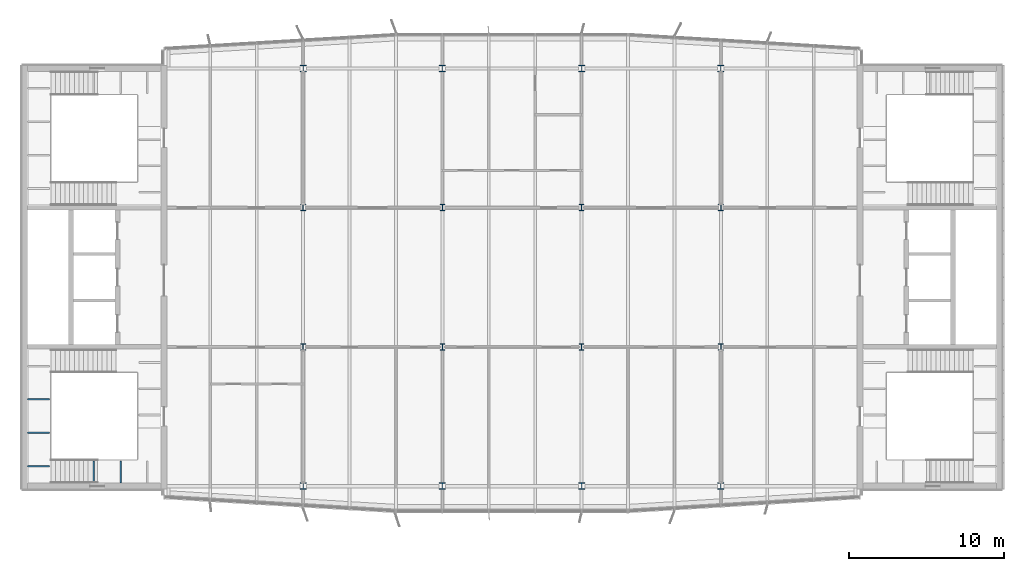
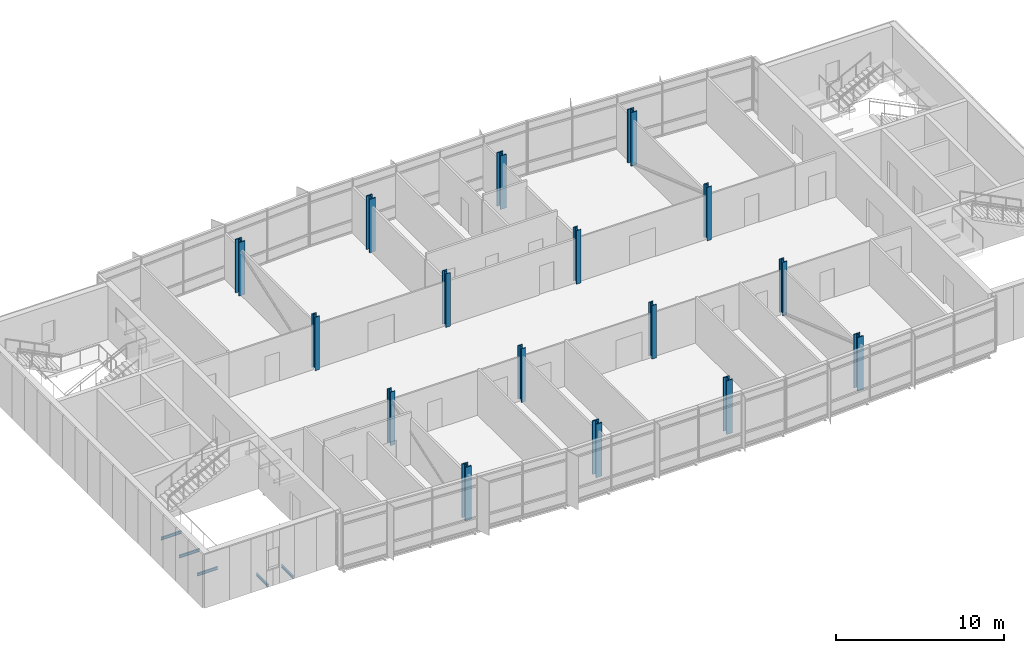
# One storey, part 1 of 21: 16 columns, 5 beams.
"""IFC4 building model written with IfcOpenShell, lengths in metres."""

from ifc_helpers import new_model, si_unit, direction, frame, origin, origin_2d, place, context, subcontext, project, spatial, i_section, extrude, material, material_profile, profile_set, type_object, element, save


model = new_model("IFC4")

# Units and contexts
model_context = context("Model", 3, precision=1e-05, world=origin(), true_north=direction((0.0, 1.0)))
body_context = subcontext(model_context, "Body", "Model", "MODEL_VIEW")
ifc_project = project(units=[si_unit("LENGTHUNIT", "METRE"), si_unit("AREAUNIT", "SQUARE_METRE"), si_unit("VOLUMEUNIT", "CUBIC_METRE"), si_unit("PLANEANGLEUNIT", "RADIAN"), si_unit("MASSUNIT", "GRAM", prefix="KILO")], contexts=[model_context])

# Site, building, storey
site_placement = place(None, origin())
site = spatial("IfcSite", under=ifc_project, at=site_placement, CompositionType="ELEMENT")
building_placement = place(site_placement, origin())
building = spatial("IfcBuilding", under=site, at=building_placement, Name="Azimuth Sports and Learning Centre", CompositionType="ELEMENT")
storey_placement = place(building_placement, frame((0.0, 0.0, 48.0)))
storey = spatial("IfcBuildingStorey", under=building, at=storey_placement, Name="L10", CompositionType="ELEMENT", Elevation=48.0)

# Columns
ifc_material_1 = material(Name="Steel S460", Category="steel")
ifc_material_profile_1 = material_profile(ifc_material_1, i_section(OverallWidth=0.41796875, OverallDepth=0.455078125, WebThickness=0.0419921875, FlangeThickness=0.067626953125, FilletRadius=0.014892578125, at=origin_2d()), Name="HD 400x551")
ifc_profile_set_1 = profile_set([ifc_material_profile_1], Name="Steel S460")
column_type_1 = type_object("IfcColumnType", Name="Column HD 400x551", PredefinedType="COLUMN", material=ifc_profile_set_1)
for number, where, z_axis, x_axis, name in (
    (1, (72.0, 90.0, 0.0), (0.0, 0.0, 1.0), (1.0, 0.0, 0.0), "Hall column 9L L10"),
    (2, (81.0, 90.0, 0.0), (0.0, 0.0, 1.0), (1.0, 0.0, 0.0), "Hall column 10L L10"),
    (3, (90.0, 90.0, 0.0), (0.0, 0.0, 1.0), (1.0, 0.0, 0.0), "Hall column 11L L10"),
    (4, (99.0, 90.0, 0.0), (0.0, 0.0, 1.0), (1.0, 0.0, 0.0), "Hall column 12L L10"),
    (5, (72.0, 117.0, 0.0), (0.0, 0.0, 1.0), (1.0, 0.0, 0.0), "Hall column 9P L10"),
    (6, (81.0, 117.0, 0.0), (0.0, 0.0, 1.0), (1.0, 0.0, 0.0), "Hall column 10P L10"),
    (7, (90.0, 117.0, 0.0), (0.0, 0.0, 1.0), (1.0, 0.0, 0.0), "Hall column 11P L10"),
    (8, (99.0, 117.0, 0.0), (0.0, 0.0, 1.0), (1.0, 0.0, 0.0), "Hall column 12P L10"),
):
    element("IfcColumn", number, at=place(storey_placement, frame(where, z_axis=z_axis, x_axis=x_axis)), inside=storey, type_object=column_type_1, Name=name, PredefinedType="COLUMN", context=body_context, shape_type="SweptSolid", body=[
        extrude(i_section(OverallWidth=0.41796875, OverallDepth=0.455078125, WebThickness=0.0419921875, FlangeThickness=0.067626953125, FilletRadius=0.014892578125, at=origin_2d()), origin(), (0.0, 0.0, 1.0), 3.89990234375),
    ])
ifc_material_2 = material(Name="Steel S355", Category="steel")
ifc_material_profile_2 = material_profile(ifc_material_2, i_section(OverallWidth=0.306884765625, OverallDepth=0.431884765625, WebThickness=0.02099609375, FlangeThickness=0.0400390625, FilletRadius=0.027099609375, at=origin_2d()), Name="HEM 400")
ifc_profile_set_2 = profile_set([ifc_material_profile_2], Name="Steel S355")
column_type_2 = type_object("IfcColumnType", Name="Column HEM 400", PredefinedType="COLUMN", material=ifc_profile_set_2)
for number, where, z_axis, x_axis, name in (
    (9, (72.0, 99.0, 0.0), (0.0, 0.0, 1.0), (1.0, 0.0, 0.0), "Tower column 9M L10"),
    (10, (81.0, 99.0, 0.0), (0.0, 0.0, 1.0), (1.0, 0.0, 0.0), "Tower column 10M L10"),
    (11, (90.0, 99.0, 0.0), (0.0, 0.0, 1.0), (1.0, 0.0, 0.0), "Tower column 11M L10"),
    (12, (99.0, 99.0, 0.0), (0.0, 0.0, 1.0), (1.0, 0.0, 0.0), "Tower column 12M L10"),
    (13, (72.0, 108.0, 0.0), (0.0, 0.0, 1.0), (1.0, 0.0, 0.0), "Tower column 9N L10"),
    (14, (81.0, 108.0, 0.0), (0.0, 0.0, 1.0), (1.0, 0.0, 0.0), "Tower column 10N L10"),
    (15, (90.0, 108.0, 0.0), (0.0, 0.0, 1.0), (1.0, 0.0, 0.0), "Tower column 11N L10"),
    (16, (99.0, 108.0, 0.0), (0.0, 0.0, 1.0), (1.0, 0.0, 0.0), "Tower column 12N L10"),
):
    element("IfcColumn", number, at=place(storey_placement, frame(where, z_axis=z_axis, x_axis=x_axis)), inside=storey, type_object=column_type_2, Name=name, PredefinedType="COLUMN", context=body_context, shape_type="SweptSolid", body=[
        extrude(i_section(OverallWidth=0.306884765625, OverallDepth=0.431884765625, WebThickness=0.02099609375, FlangeThickness=0.0400390625, FilletRadius=0.027099609375, at=origin_2d()), origin(), (0.0, 0.0, 1.0), 3.89990234375),
    ])

# Beams
ifc_material_3 = material(Name="Steel S355", Category="steel")
ifc_material_profile_3 = material_profile(ifc_material_3, i_section(OverallWidth=0.10009765625, OverallDepth=0.199951171875, WebThickness=0.005615234375, FlangeThickness=0.008544921875, FilletRadius=0.011962890625, at=origin_2d()), Name="IPE 200")
ifc_profile_set_3 = profile_set([ifc_material_profile_3], Name="Steel S355")
beam_type = type_object("IfcBeamType", Name="Beam IPE 200", PredefinedType="BEAM", material=ifc_profile_set_3)
for number, where, z_axis, x_axis, name in (
    (17, (58.473388671875, 90.199951171875, -0.300048828125), (0.0, 1.0, 0.0), (-1.0, 0.0, 0.0), "Landing bracket W1 L10 99"),
    (18, (60.199951171875, 90.199951171875, -0.300048828125), (0.0, 1.0, 0.0), (-1.0, 0.0, 0.0), "Landing bracket W1 L10 100"),
    (19, (54.199951171875, 91.288818359375, 1.35009765625), (1.0, 0.0, 0.0), (0.0, 1.0, 0.0), "Landing bracket W1 L10 102"),
    (20, (54.199951171875, 93.4462890625, 1.35009765625), (1.0, 0.0, 0.0), (0.0, 1.0, 0.0), "Landing bracket W1 L10 103"),
    (21, (54.199951171875, 95.603759765625, 1.35009765625), (1.0, 0.0, 0.0), (0.0, 1.0, 0.0), "Landing bracket W1 L10 104"),
):
    element("IfcBeam", number, at=place(storey_placement, frame(where, z_axis=z_axis, x_axis=x_axis)), inside=storey, type_object=beam_type, Name=name, PredefinedType="BEAM", context=body_context, shape_type="SweptSolid", body=[
        extrude(i_section(OverallWidth=0.10009765625, OverallDepth=0.199951171875, WebThickness=0.005615234375, FlangeThickness=0.008544921875, FilletRadius=0.011962890625, at=origin_2d()), origin(), (0.0, 0.0, 1.0), 1.41015625),
    ])

save(model, "model.ifc")
